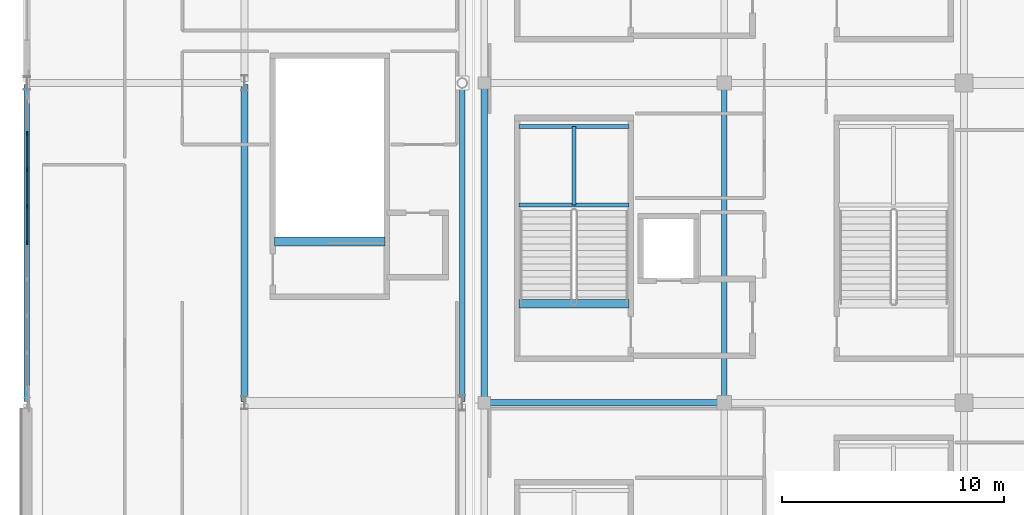
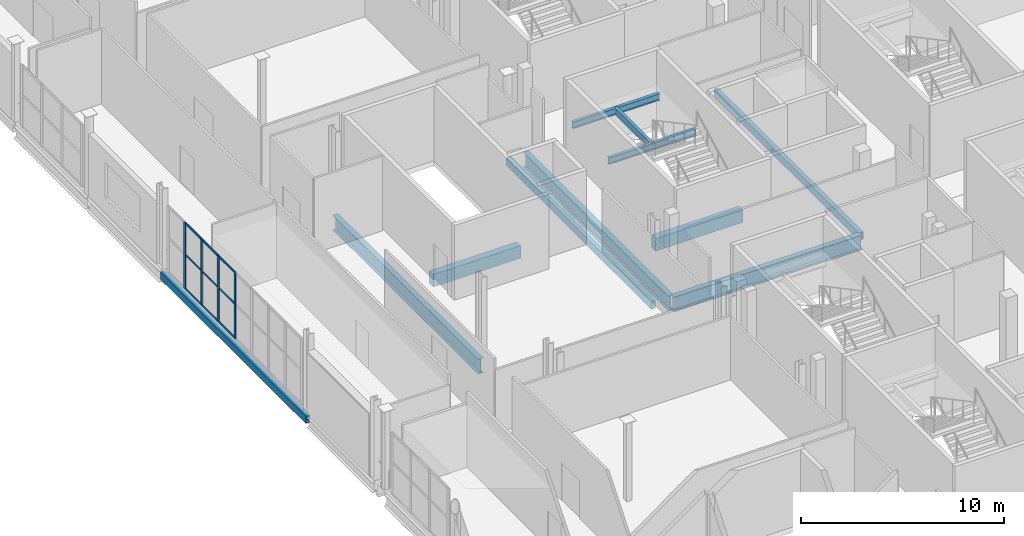
# One storey, part 30 of 142: 13 members, 11 beams, 1 element without a shape of its own.
"""IFC4 building model written with IfcOpenShell, lengths in metres."""

from ifc_helpers import new_model, si_unit, direction, frame, origin, origin_2d, place, context, subcontext, project, spatial, rectangle, hollow_rectangle, i_section, extrude, material, material_profile, profile_set, type_object, element, aggregate, save


model = new_model("IFC4")

# Units and contexts
model_context = context("Model", 3, precision=1e-05, world=origin(), true_north=direction((0.0, 1.0)))
body_context = subcontext(model_context, "Body", "Model", "MODEL_VIEW")
ifc_project = project(units=[si_unit("LENGTHUNIT", "METRE"), si_unit("AREAUNIT", "SQUARE_METRE"), si_unit("VOLUMEUNIT", "CUBIC_METRE"), si_unit("PLANEANGLEUNIT", "RADIAN"), si_unit("MASSUNIT", "GRAM", prefix="KILO")], contexts=[model_context])

# Site, building, storey
site_placement = place(None, origin())
site = spatial("IfcSite", under=ifc_project, at=site_placement, CompositionType="ELEMENT")
building_placement = place(site_placement, origin())
building = spatial("IfcBuilding", under=site, at=building_placement, Name="Koshinbarg Plaza Stadium", CompositionType="ELEMENT")
storey_placement = place(building_placement, frame((0.0, 0.0, 10.199951171875)))
storey = spatial("IfcBuildingStorey", under=building, at=storey_placement, Name="L02", CompositionType="ELEMENT", Elevation=10.199951171875)

# Beams
ifc_material_1 = material(Name="Concrete C40/50", Category="concrete")
ifc_material_profile_1 = material_profile(ifc_material_1, rectangle(XDim=0.39990234375, YDim=0.75, at=origin_2d()), Name="RC 400x750")
ifc_profile_set_1 = profile_set([ifc_material_profile_1], Name="Concrete C40/50")
beam_type_1 = type_object("IfcBeamType", Name="BM-RCG-03", PredefinedType="USERDEFINED", material=ifc_profile_set_1)
for number, where, z_axis, x_axis, name in (
    (1, (26.14990234375, 87.56005859375, -0.375), (1.0, 0.0, 0.0), (0.0, 1.0, 0.0), "L02 stair landing header beam C05"),
    (2, (15.14990234375, 90.360107421875, -0.375), (1.0, 0.0, 0.0), (0.0, 1.0, 0.0), "L02 stair landing header beam C15"),
):
    element("IfcBeam", number, at=place(storey_placement, frame(where, z_axis=z_axis, x_axis=x_axis)), inside=storey, type_object=beam_type_1, Name=name, ObjectType="GIRDER", PredefinedType="USERDEFINED", context=body_context, shape_type="SweptSolid", body=[
        extrude(rectangle(XDim=0.39990234375, YDim=0.75, at=origin_2d()), origin(), (0.0, 0.0, 1.0), 4.97021484375),
    ])
ifc_material_2 = material(Name="Steel S355", Category="steel")
ifc_material_profile_2 = material_profile(ifc_material_2, i_section(OverallWidth=0.179931640625, OverallDepth=0.39990234375, WebThickness=0.008544921875, FlangeThickness=0.013427734375, at=origin_2d()), Name="IPE 400")
ifc_profile_set_2 = profile_set([ifc_material_profile_2], Name="Steel S355")
beam_type_2 = type_object("IfcBeamType", Name="BM-SBM-01", PredefinedType="BEAM", material=ifc_profile_set_2)
for number, where, z_axis, x_axis, name in (
    (3, (26.14990234375, 92.010009765625, 1.880126953125), (1.0, 0.0, 0.0), (0.0, 1.0, 0.0), "L02 Protected Exit Stair C05 landing trimmer beam 1"),
    (4, (26.14990234375, 95.550048828125, 1.880126953125), (1.0, 0.0, 0.0), (0.0, 1.0, 0.0), "L02 Protected Exit Stair C05 landing trimmer beam 2"),
):
    element("IfcBeam", number, at=place(storey_placement, frame(where, z_axis=z_axis, x_axis=x_axis)), inside=storey, type_object=beam_type_2, Name=name, PredefinedType="BEAM", context=body_context, shape_type="SweptSolid", body=[
        extrude(i_section(OverallWidth=0.179931640625, OverallDepth=0.39990234375, WebThickness=0.008544921875, FlangeThickness=0.013427734375, at=origin_2d()), origin(), (0.0, 0.0, 1.0), 4.97021484375),
    ])
beam_1_placement = place(storey_placement, frame((28.635009765625, 92.010009765625, 1.880126953125), z_axis=(0.0, 1.0, 0.0), x_axis=(-1.0, 0.0, 0.0)))
element("IfcBeam", 5, at=beam_1_placement, inside=storey, type_object=beam_type_2, Name="L02 Protected Exit Stair C05 landing trimmer beam 3", PredefinedType="BEAM", context=body_context, shape_type="SweptSolid", body=[
    extrude(i_section(OverallWidth=0.179931640625, OverallDepth=0.39990234375, WebThickness=0.008544921875, FlangeThickness=0.013427734375, at=origin_2d()), origin(), (0.0, 0.0, 1.0), 3.5400390625),
])
ifc_material_profile_3 = material_profile(ifc_material_2, i_section(OverallWidth=0.300048828125, OverallDepth=0.89990234375, WebThickness=0.0185546875, FlangeThickness=0.034912109375, at=origin_2d()), Name="HEB 900")
ifc_profile_set_3 = profile_set([ifc_material_profile_3], Name="Steel S355")
beam_type_3 = type_object("IfcBeamType", Name="BM-SGIR-05", PredefinedType="USERDEFINED", material=ifc_profile_set_3)
beam_2_placement = place(storey_placement, frame((24.659912109375, 83.10009765625, -0.75), z_axis=(1.0, 0.0, 0.0), x_axis=(0.0, 1.0, 0.0)))
element("IfcBeam", 6, at=beam_2_placement, inside=storey, type_object=beam_type_3, Name="L02 X girder M/5-6", ObjectType="GIRDER", PredefinedType="USERDEFINED", context=body_context, shape_type="SweptSolid", body=[
    extrude(i_section(OverallWidth=0.300048828125, OverallDepth=0.89990234375, WebThickness=0.0185546875, FlangeThickness=0.034912109375, at=origin_2d()), origin(), (0.0, 0.0, 1.0), 10.68017578125),
])
for number, where, z_axis, x_axis, name in (
    (7, (13.800048828125, 83.159912109375, -0.75), (0.0, 1.0, 0.0), (-1.0, 0.0, 0.0), "L02 Y girder 3/M-N"),
    (8, (24.60009765625, 83.159912109375, -0.75), (0.0, 1.0, 0.0), (-1.0, 0.0, 0.0), "L02 Y girder 5/M-N"),
):
    element("IfcBeam", number, at=place(storey_placement, frame(where, z_axis=z_axis, x_axis=x_axis)), inside=storey, type_object=beam_type_3, Name=name, ObjectType="GIRDER", PredefinedType="USERDEFINED", context=body_context, shape_type="SweptSolid", body=[
        extrude(i_section(OverallWidth=0.300048828125, OverallDepth=0.89990234375, WebThickness=0.0185546875, FlangeThickness=0.034912109375, at=origin_2d()), origin(), (0.0, 0.0, 1.0), 14.280029296875),
    ])
ifc_material_profile_4 = material_profile(ifc_material_2, hollow_rectangle(XDim=0.25, YDim=0.449951171875, WallThickness=0.01611328125, at=origin_2d()), Name="RHS 450x250x16")
ifc_profile_set_4 = profile_set([ifc_material_profile_4], Name="Steel S355")
beam_type_4 = type_object("IfcBeamType", Name="BM-SGIR-06", PredefinedType="USERDEFINED", material=ifc_profile_set_4)
for number, where, z_axis, x_axis, name in (
    (9, (4.0, 83.159912109375, -0.52490234375), (0.0, 1.0, 0.0), (-1.0, 0.0, 0.0), "L02 Y girder 2/M-N"),
    (10, (23.60009765625, 83.159912109375, -0.52490234375), (0.0, 1.0, 0.0), (-1.0, 0.0, 0.0), "L02 Y girder 4/M-N"),
    (11, (35.39990234375, 83.159912109375, -0.52490234375), (0.0, 1.0, 0.0), (-1.0, 0.0, 0.0), "L02 Y girder 6/M-N"),
):
    element("IfcBeam", number, at=place(storey_placement, frame(where, z_axis=z_axis, x_axis=x_axis)), inside=storey, type_object=beam_type_4, Name=name, ObjectType="GIRDER", PredefinedType="USERDEFINED", context=body_context, shape_type="SweptSolid", body=[
        extrude(hollow_rectangle(XDim=0.25, YDim=0.449951171875, WallThickness=0.01611328125, at=origin_2d()), origin(), (0.0, 0.0, 1.0), 14.280029296875),
    ])

# Curtain wall, members
ifc_material_3 = material(Name="Thermally broken anodised aluminium and low-E double glazing", Category="aluminium")
curtain_wall_type = type_object("IfcCurtainWallType", Name="CW-SYS-11", PredefinedType="NOTDEFINED", material=ifc_material_3)
curtain_wall_placement = place(storey_placement, origin())
curtain_wall = element("IfcCurtainWall", 12, at=curtain_wall_placement, inside=storey, type_object=curtain_wall_type, Name="L02 unitised curtain wall CW-L02-042", PredefinedType="NOTDEFINED")
ifc_material_4 = material(Name="Anodised aluminium mullion", Category="aluminium")
ifc_material_profile_5 = material_profile(ifc_material_4, rectangle(XDim=0.070068359375, YDim=0.179931640625, at=origin_2d()), Name="ALU 70x180")
ifc_profile_set_5 = profile_set([ifc_material_profile_5], Name="Anodised aluminium mullion")
member_type_1 = type_object("IfcMemberType", Name="CW-MUL-03", PredefinedType="MULLION", material=ifc_profile_set_5)
member_1_placement = place(storey_placement, frame((4.0, 90.300048828125, 0.0), z_axis=(0.0, 0.0, 1.0), x_axis=(-1.0, 0.0, 0.0)))
member_1 = element("IfcMember", 13, at=member_1_placement, type_object=member_type_1, Name="CW11 mullion 5", PredefinedType="MULLION", context=body_context, shape_type="SweptSolid", body=[
    extrude(rectangle(XDim=0.070068359375, YDim=0.179931640625, at=origin_2d()), origin(), (0.0, 0.0, 1.0), 3.969970703125),
])
member_2_placement = place(storey_placement, frame((4.0, 91.945068359375, 0.0), z_axis=(0.0, 0.0, 1.0), x_axis=(-1.0, 0.0, 0.0)))
member_2 = element("IfcMember", 14, at=member_2_placement, type_object=member_type_1, Name="CW11 mullion 6", PredefinedType="MULLION", context=body_context, shape_type="SweptSolid", body=[
    extrude(rectangle(XDim=0.070068359375, YDim=0.179931640625, at=origin_2d()), origin(), (0.0, 0.0, 1.0), 3.969970703125),
])
member_3_placement = place(storey_placement, frame((4.0, 93.590087890625, 0.0), z_axis=(0.0, 0.0, 1.0), x_axis=(-1.0, 0.0, 0.0)))
member_3 = element("IfcMember", 15, at=member_3_placement, type_object=member_type_1, Name="CW11 mullion 7", PredefinedType="MULLION", context=body_context, shape_type="SweptSolid", body=[
    extrude(rectangle(XDim=0.070068359375, YDim=0.179931640625, at=origin_2d()), origin(), (0.0, 0.0, 1.0), 3.969970703125),
])
member_4_placement = place(storey_placement, frame((4.0, 95.235107421875, 0.0), z_axis=(0.0, 0.0, 1.0), x_axis=(-1.0, 0.0, 0.0)))
member_4 = element("IfcMember", 16, at=member_4_placement, type_object=member_type_1, Name="CW11 mullion 8", PredefinedType="MULLION", context=body_context, shape_type="SweptSolid", body=[
    extrude(rectangle(XDim=0.070068359375, YDim=0.179931640625, at=origin_2d()), origin(), (0.0, 0.0, 1.0), 3.969970703125),
])
ifc_material_5 = material(Name="Anodised aluminium transom", Category="aluminium")
ifc_material_profile_6 = material_profile(ifc_material_5, rectangle(XDim=0.06005859375, YDim=0.110107421875, at=origin_2d()), Name="ALU 60x110")
ifc_profile_set_6 = profile_set([ifc_material_profile_6], Name="Anodised aluminium transom")
member_type_2 = type_object("IfcMemberType", Name="CW-TRN-01", PredefinedType="USERDEFINED", material=ifc_profile_set_6)
member_5_placement = place(storey_placement, frame((4.0, 90.330078125, 0.030029296875), z_axis=(0.0, 1.0, 0.0), x_axis=(-1.0, 0.0, 0.0)))
member_5 = element("IfcMember", 17, at=member_5_placement, type_object=member_type_2, Name="CW11 transom 5.1", ObjectType="TRANSOM", PredefinedType="USERDEFINED", context=body_context, shape_type="SweptSolid", body=[
    extrude(rectangle(XDim=0.06005859375, YDim=0.110107421875, at=origin_2d()), origin(), (0.0, 0.0, 1.0), 1.5849609375),
])
member_6_placement = place(storey_placement, frame((4.0, 90.330078125, 2.064453125), z_axis=(0.0, 1.0, 0.0), x_axis=(-1.0, 0.0, 0.0)))
member_6 = element("IfcMember", 18, at=member_6_placement, type_object=member_type_2, Name="CW11 transom 5.2", ObjectType="TRANSOM", PredefinedType="USERDEFINED", context=body_context, shape_type="SweptSolid", body=[
    extrude(rectangle(XDim=0.06005859375, YDim=0.110107421875, at=origin_2d()), origin(), (0.0, 0.0, 1.0), 1.5849609375),
])
member_7_placement = place(storey_placement, frame((4.0, 90.330078125, 3.93994140625), z_axis=(0.0, 1.0, 0.0), x_axis=(-1.0, 0.0, 0.0)))
member_7 = element("IfcMember", 19, at=member_7_placement, type_object=member_type_2, Name="CW11 transom 5.3", ObjectType="TRANSOM", PredefinedType="USERDEFINED", context=body_context, shape_type="SweptSolid", body=[
    extrude(rectangle(XDim=0.06005859375, YDim=0.110107421875, at=origin_2d()), origin(), (0.0, 0.0, 1.0), 1.5849609375),
])
member_8_placement = place(storey_placement, frame((4.0, 91.97509765625, 0.030029296875), z_axis=(0.0, 1.0, 0.0), x_axis=(-1.0, 0.0, 0.0)))
member_8 = element("IfcMember", 20, at=member_8_placement, type_object=member_type_2, Name="CW11 transom 6.1", ObjectType="TRANSOM", PredefinedType="USERDEFINED", context=body_context, shape_type="SweptSolid", body=[
    extrude(rectangle(XDim=0.06005859375, YDim=0.110107421875, at=origin_2d()), origin(), (0.0, 0.0, 1.0), 1.5849609375),
])
member_9_placement = place(storey_placement, frame((4.0, 91.97509765625, 2.064453125), z_axis=(0.0, 1.0, 0.0), x_axis=(-1.0, 0.0, 0.0)))
member_9 = element("IfcMember", 21, at=member_9_placement, type_object=member_type_2, Name="CW11 transom 6.2", ObjectType="TRANSOM", PredefinedType="USERDEFINED", context=body_context, shape_type="SweptSolid", body=[
    extrude(rectangle(XDim=0.06005859375, YDim=0.110107421875, at=origin_2d()), origin(), (0.0, 0.0, 1.0), 1.5849609375),
])
member_10_placement = place(storey_placement, frame((4.0, 91.97509765625, 3.93994140625), z_axis=(0.0, 1.0, 0.0), x_axis=(-1.0, 0.0, 0.0)))
member_10 = element("IfcMember", 22, at=member_10_placement, type_object=member_type_2, Name="CW11 transom 6.3", ObjectType="TRANSOM", PredefinedType="USERDEFINED", context=body_context, shape_type="SweptSolid", body=[
    extrude(rectangle(XDim=0.06005859375, YDim=0.110107421875, at=origin_2d()), origin(), (0.0, 0.0, 1.0), 1.5849609375),
])
member_11_placement = place(storey_placement, frame((4.0, 93.6201171875, 0.030029296875), z_axis=(0.0, 1.0, 0.0), x_axis=(-1.0, 0.0, 0.0)))
member_11 = element("IfcMember", 23, at=member_11_placement, type_object=member_type_2, Name="CW11 transom 7.1", ObjectType="TRANSOM", PredefinedType="USERDEFINED", context=body_context, shape_type="SweptSolid", body=[
    extrude(rectangle(XDim=0.06005859375, YDim=0.110107421875, at=origin_2d()), origin(), (0.0, 0.0, 1.0), 1.5849609375),
])
member_12_placement = place(storey_placement, frame((4.0, 93.6201171875, 2.064453125), z_axis=(0.0, 1.0, 0.0), x_axis=(-1.0, 0.0, 0.0)))
member_12 = element("IfcMember", 24, at=member_12_placement, type_object=member_type_2, Name="CW11 transom 7.2", ObjectType="TRANSOM", PredefinedType="USERDEFINED", context=body_context, shape_type="SweptSolid", body=[
    extrude(rectangle(XDim=0.06005859375, YDim=0.110107421875, at=origin_2d()), origin(), (0.0, 0.0, 1.0), 1.5849609375),
])
member_13_placement = place(storey_placement, frame((4.0, 93.6201171875, 3.93994140625), z_axis=(0.0, 1.0, 0.0), x_axis=(-1.0, 0.0, 0.0)))
member_13 = element("IfcMember", 25, at=member_13_placement, type_object=member_type_2, Name="CW11 transom 7.3", ObjectType="TRANSOM", PredefinedType="USERDEFINED", context=body_context, shape_type="SweptSolid", body=[
    extrude(rectangle(XDim=0.06005859375, YDim=0.110107421875, at=origin_2d()), origin(), (0.0, 0.0, 1.0), 1.5849609375),
])
aggregate(curtain_wall, [member_1, member_2, member_3, member_4, member_5, member_6, member_7, member_8, member_9, member_10, member_11, member_12, member_13])

save(model, "model.ifc")
